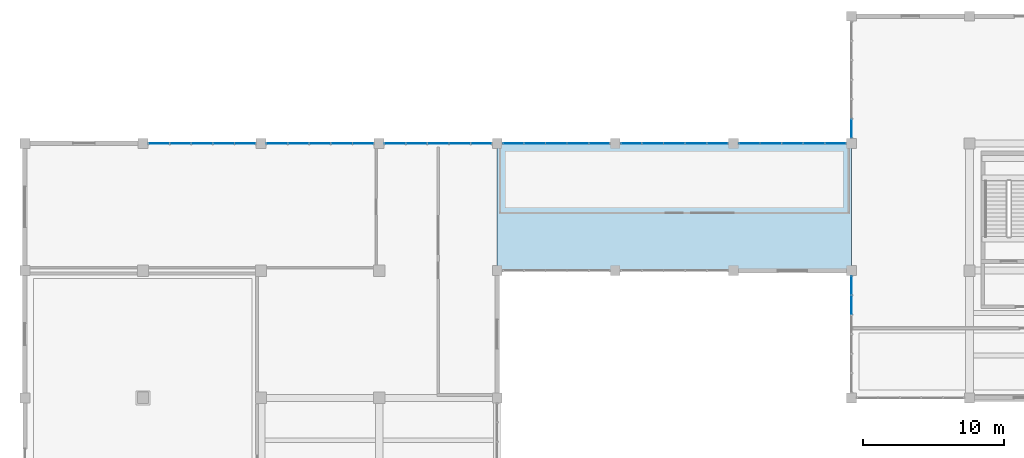
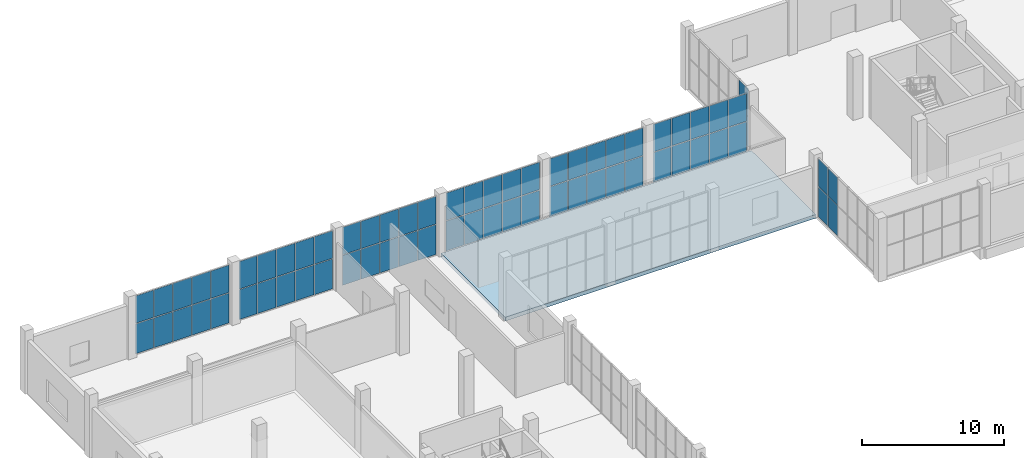
# One storey, part 68 of 91: 66 plates, 1 slab, 8 elements without a shape of their own.
"""IFC4 building model written with IfcOpenShell, lengths in metres."""

from ifc_helpers import new_model, si_unit, direction, frame, origin, origin_2d, place, context, subcontext, project, spatial, polyline, rectangle, outline, extrude, material, layer, layer_set, type_object, element, aggregate, save


model = new_model("IFC4")

# Units and contexts
model_context = context("Model", 3, precision=1e-05, world=origin(), true_north=direction((0.0, 1.0)))
body_context = subcontext(model_context, "Body", "Model", "MODEL_VIEW")
ifc_project = project(units=[si_unit("LENGTHUNIT", "METRE"), si_unit("AREAUNIT", "SQUARE_METRE"), si_unit("VOLUMEUNIT", "CUBIC_METRE"), si_unit("PLANEANGLEUNIT", "RADIAN"), si_unit("MASSUNIT", "GRAM", prefix="KILO")], contexts=[model_context])

# Site, building, storey
site_placement = place(None, origin())
site = spatial("IfcSite", under=ifc_project, at=site_placement, CompositionType="ELEMENT")
building_placement = place(site_placement, origin())
building = spatial("IfcBuilding", under=site, at=building_placement, Name="Khurvash Pelagic Aquarium", CompositionType="ELEMENT")
storey_placement = place(building_placement, origin())
storey = spatial("IfcBuildingStorey", under=building, at=storey_placement, Name="L00", CompositionType="ELEMENT", Elevation=0.0)

# Curtain wall, plates
ifc_material_1 = material(Name="Anodised aluminium and low-E laminated glass", Category="aluminium")
curtain_wall_type_1 = type_object("IfcCurtainWallType", Name="CW-02", PredefinedType="USERDEFINED", material=ifc_material_1)
curtain_wall_1_placement = place(storey_placement, origin())
curtain_wall_1 = element("IfcCurtainWall", 1, at=curtain_wall_1_placement, inside=storey, type_object=curtain_wall_type_1, Name="L00 Facade Unitised Curtain Wall CW-02 0065", ObjectType="UNITISED CURTAIN WALL", PredefinedType="USERDEFINED")
ifc_material_2 = material(Name="Low-E laminated double glazing", Category="glass")
ifc_layer_1 = layer(ifc_material_2, 0.031982421875)
ifc_layer_set_1 = layer_set([ifc_layer_1], Name="Low-E laminated double glazing")
plate_type_1 = type_object("IfcPlateType", Name="CG-02", PredefinedType="CURTAIN_PANEL", material=ifc_layer_set_1)
plate_1_placement = place(storey_placement, frame((57.660888671875, 102.14990234375, 0.06005859375), z_axis=(0.0, 0.0, 1.0), x_axis=(-1.0, 0.0, 0.0)))
plate_1 = element("IfcPlate", 2, at=plate_1_placement, type_object=plate_type_1, Name="CW-02 panel 1.1", PredefinedType="CURTAIN_PANEL", context=body_context, shape_type="SweptSolid", body=[
    extrude(rectangle(XDim=1.447998046875, YDim=0.031982421875, at=origin_2d()), origin(), (0.0, 0.0, 1.0), 2.556884765625),
])
plate_2_placement = place(storey_placement, frame((57.660888671875, 102.14990234375, 2.677001953125), z_axis=(0.0, 0.0, 1.0), x_axis=(-1.0, 0.0, 0.0)))
plate_2 = element("IfcPlate", 3, at=plate_2_placement, type_object=plate_type_1, Name="CW-02 panel 1.2", PredefinedType="CURTAIN_PANEL", context=body_context, shape_type="SweptSolid", body=[
    extrude(rectangle(XDim=1.447998046875, YDim=0.031982421875, at=origin_2d()), origin(), (0.0, 0.0, 1.0), 2.35302734375),
])
plate_3_placement = place(storey_placement, frame((56.137939453125, 102.14990234375, 0.06005859375), z_axis=(0.0, 0.0, 1.0), x_axis=(-1.0, 0.0, 0.0)))
plate_3 = element("IfcPlate", 4, at=plate_3_placement, type_object=plate_type_1, Name="CW-02 panel 2.1", PredefinedType="CURTAIN_PANEL", context=body_context, shape_type="SweptSolid", body=[
    extrude(rectangle(XDim=1.47802734375, YDim=0.031982421875, at=origin_2d()), origin(), (0.0, 0.0, 1.0), 2.556884765625),
])
plate_4_placement = place(storey_placement, frame((56.137939453125, 102.14990234375, 2.677001953125), z_axis=(0.0, 0.0, 1.0), x_axis=(-1.0, 0.0, 0.0)))
plate_4 = element("IfcPlate", 5, at=plate_4_placement, type_object=plate_type_1, Name="CW-02 panel 2.2", PredefinedType="CURTAIN_PANEL", context=body_context, shape_type="SweptSolid", body=[
    extrude(rectangle(XDim=1.47802734375, YDim=0.031982421875, at=origin_2d()), origin(), (0.0, 0.0, 1.0), 2.35302734375),
])
plate_5_placement = place(storey_placement, frame((54.60009765625, 102.14990234375, 0.06005859375), z_axis=(0.0, 0.0, 1.0), x_axis=(-1.0, 0.0, 0.0)))
plate_5 = element("IfcPlate", 6, at=plate_5_placement, type_object=plate_type_1, Name="CW-02 panel 3.1", PredefinedType="CURTAIN_PANEL", context=body_context, shape_type="SweptSolid", body=[
    extrude(rectangle(XDim=1.47802734375, YDim=0.031982421875, at=origin_2d()), origin(), (0.0, 0.0, 1.0), 2.556884765625),
])
plate_6_placement = place(storey_placement, frame((54.60009765625, 102.14990234375, 2.677001953125), z_axis=(0.0, 0.0, 1.0), x_axis=(-1.0, 0.0, 0.0)))
plate_6 = element("IfcPlate", 7, at=plate_6_placement, type_object=plate_type_1, Name="CW-02 panel 3.2", PredefinedType="CURTAIN_PANEL", context=body_context, shape_type="SweptSolid", body=[
    extrude(rectangle(XDim=1.47802734375, YDim=0.031982421875, at=origin_2d()), origin(), (0.0, 0.0, 1.0), 2.35302734375),
])
plate_7_placement = place(storey_placement, frame((53.06201171875, 102.14990234375, 0.06005859375), z_axis=(0.0, 0.0, 1.0), x_axis=(-1.0, 0.0, 0.0)))
plate_7 = element("IfcPlate", 8, at=plate_7_placement, type_object=plate_type_1, Name="CW-02 panel 4.1", PredefinedType="CURTAIN_PANEL", context=body_context, shape_type="SweptSolid", body=[
    extrude(rectangle(XDim=1.47802734375, YDim=0.031982421875, at=origin_2d()), origin(), (0.0, 0.0, 1.0), 2.556884765625),
])
plate_8_placement = place(storey_placement, frame((53.06201171875, 102.14990234375, 2.677001953125), z_axis=(0.0, 0.0, 1.0), x_axis=(-1.0, 0.0, 0.0)))
plate_8 = element("IfcPlate", 9, at=plate_8_placement, type_object=plate_type_1, Name="CW-02 panel 4.2", PredefinedType="CURTAIN_PANEL", context=body_context, shape_type="SweptSolid", body=[
    extrude(rectangle(XDim=1.47802734375, YDim=0.031982421875, at=origin_2d()), origin(), (0.0, 0.0, 1.0), 2.35302734375),
])
plate_9_placement = place(storey_placement, frame((51.5390625, 102.14990234375, 0.06005859375), z_axis=(0.0, 0.0, 1.0), x_axis=(-1.0, 0.0, 0.0)))
plate_9 = element("IfcPlate", 10, at=plate_9_placement, type_object=plate_type_1, Name="CW-02 panel 5.1", PredefinedType="CURTAIN_PANEL", context=body_context, shape_type="SweptSolid", body=[
    extrude(rectangle(XDim=1.447998046875, YDim=0.031982421875, at=origin_2d()), origin(), (0.0, 0.0, 1.0), 2.556884765625),
])
plate_10_placement = place(storey_placement, frame((51.5390625, 102.14990234375, 2.677001953125), z_axis=(0.0, 0.0, 1.0), x_axis=(-1.0, 0.0, 0.0)))
plate_10 = element("IfcPlate", 11, at=plate_10_placement, type_object=plate_type_1, Name="CW-02 panel 5.2", PredefinedType="CURTAIN_PANEL", context=body_context, shape_type="SweptSolid", body=[
    extrude(rectangle(XDim=1.447998046875, YDim=0.031982421875, at=origin_2d()), origin(), (0.0, 0.0, 1.0), 2.35302734375),
])
aggregate(curtain_wall_1, [plate_1, plate_2, plate_3, plate_4, plate_5, plate_6, plate_7, plate_8, plate_9, plate_10])

curtain_wall_2_placement = place(storey_placement, origin())
curtain_wall_2 = element("IfcCurtainWall", 12, at=curtain_wall_2_placement, inside=storey, type_object=curtain_wall_type_1, Name="L00 Facade Unitised Curtain Wall CW-02 0066", ObjectType="UNITISED CURTAIN WALL", PredefinedType="USERDEFINED")
plate_11_placement = place(storey_placement, frame((49.260986328125, 102.14990234375, 0.06005859375), z_axis=(0.0, 0.0, 1.0), x_axis=(-1.0, 0.0, 0.0)))
plate_11 = element("IfcPlate", 13, at=plate_11_placement, type_object=plate_type_1, Name="CW-02 panel 1.1", PredefinedType="CURTAIN_PANEL", context=body_context, shape_type="SweptSolid", body=[
    extrude(rectangle(XDim=1.447998046875, YDim=0.031982421875, at=origin_2d()), origin(), (0.0, 0.0, 1.0), 2.556884765625),
])
plate_12_placement = place(storey_placement, frame((49.260986328125, 102.14990234375, 2.677001953125), z_axis=(0.0, 0.0, 1.0), x_axis=(-1.0, 0.0, 0.0)))
plate_12 = element("IfcPlate", 14, at=plate_12_placement, type_object=plate_type_1, Name="CW-02 panel 1.2", PredefinedType="CURTAIN_PANEL", context=body_context, shape_type="SweptSolid", body=[
    extrude(rectangle(XDim=1.447998046875, YDim=0.031982421875, at=origin_2d()), origin(), (0.0, 0.0, 1.0), 2.35302734375),
])
plate_13_placement = place(storey_placement, frame((47.738037109375, 102.14990234375, 0.06005859375), z_axis=(0.0, 0.0, 1.0), x_axis=(-1.0, 0.0, 0.0)))
plate_13 = element("IfcPlate", 15, at=plate_13_placement, type_object=plate_type_1, Name="CW-02 panel 2.1", PredefinedType="CURTAIN_PANEL", context=body_context, shape_type="SweptSolid", body=[
    extrude(rectangle(XDim=1.47802734375, YDim=0.031982421875, at=origin_2d()), origin(), (0.0, 0.0, 1.0), 2.556884765625),
])
plate_14_placement = place(storey_placement, frame((47.738037109375, 102.14990234375, 2.677001953125), z_axis=(0.0, 0.0, 1.0), x_axis=(-1.0, 0.0, 0.0)))
plate_14 = element("IfcPlate", 16, at=plate_14_placement, type_object=plate_type_1, Name="CW-02 panel 2.2", PredefinedType="CURTAIN_PANEL", context=body_context, shape_type="SweptSolid", body=[
    extrude(rectangle(XDim=1.47802734375, YDim=0.031982421875, at=origin_2d()), origin(), (0.0, 0.0, 1.0), 2.35302734375),
])
plate_15_placement = place(storey_placement, frame((46.199951171875, 102.14990234375, 0.06005859375), z_axis=(0.0, 0.0, 1.0), x_axis=(-1.0, 0.0, 0.0)))
plate_15 = element("IfcPlate", 17, at=plate_15_placement, type_object=plate_type_1, Name="CW-02 panel 3.1", PredefinedType="CURTAIN_PANEL", context=body_context, shape_type="SweptSolid", body=[
    extrude(rectangle(XDim=1.47802734375, YDim=0.031982421875, at=origin_2d()), origin(), (0.0, 0.0, 1.0), 2.556884765625),
])
plate_16_placement = place(storey_placement, frame((46.199951171875, 102.14990234375, 2.677001953125), z_axis=(0.0, 0.0, 1.0), x_axis=(-1.0, 0.0, 0.0)))
plate_16 = element("IfcPlate", 18, at=plate_16_placement, type_object=plate_type_1, Name="CW-02 panel 3.2", PredefinedType="CURTAIN_PANEL", context=body_context, shape_type="SweptSolid", body=[
    extrude(rectangle(XDim=1.47802734375, YDim=0.031982421875, at=origin_2d()), origin(), (0.0, 0.0, 1.0), 2.35302734375),
])
plate_17_placement = place(storey_placement, frame((44.662109375, 102.14990234375, 0.06005859375), z_axis=(0.0, 0.0, 1.0), x_axis=(-1.0, 0.0, 0.0)))
plate_17 = element("IfcPlate", 19, at=plate_17_placement, type_object=plate_type_1, Name="CW-02 panel 4.1", PredefinedType="CURTAIN_PANEL", context=body_context, shape_type="SweptSolid", body=[
    extrude(rectangle(XDim=1.47802734375, YDim=0.031982421875, at=origin_2d()), origin(), (0.0, 0.0, 1.0), 2.556884765625),
])
plate_18_placement = place(storey_placement, frame((44.662109375, 102.14990234375, 2.677001953125), z_axis=(0.0, 0.0, 1.0), x_axis=(-1.0, 0.0, 0.0)))
plate_18 = element("IfcPlate", 20, at=plate_18_placement, type_object=plate_type_1, Name="CW-02 panel 4.2", PredefinedType="CURTAIN_PANEL", context=body_context, shape_type="SweptSolid", body=[
    extrude(rectangle(XDim=1.47802734375, YDim=0.031982421875, at=origin_2d()), origin(), (0.0, 0.0, 1.0), 2.35302734375),
])
plate_19_placement = place(storey_placement, frame((43.138916015625, 102.14990234375, 0.06005859375), z_axis=(0.0, 0.0, 1.0), x_axis=(-1.0, 0.0, 0.0)))
plate_19 = element("IfcPlate", 21, at=plate_19_placement, type_object=plate_type_1, Name="CW-02 panel 5.1", PredefinedType="CURTAIN_PANEL", context=body_context, shape_type="SweptSolid", body=[
    extrude(rectangle(XDim=1.447998046875, YDim=0.031982421875, at=origin_2d()), origin(), (0.0, 0.0, 1.0), 2.556884765625),
])
plate_20_placement = place(storey_placement, frame((43.138916015625, 102.14990234375, 2.677001953125), z_axis=(0.0, 0.0, 1.0), x_axis=(-1.0, 0.0, 0.0)))
plate_20 = element("IfcPlate", 22, at=plate_20_placement, type_object=plate_type_1, Name="CW-02 panel 5.2", PredefinedType="CURTAIN_PANEL", context=body_context, shape_type="SweptSolid", body=[
    extrude(rectangle(XDim=1.447998046875, YDim=0.031982421875, at=origin_2d()), origin(), (0.0, 0.0, 1.0), 2.35302734375),
])
aggregate(curtain_wall_2, [plate_11, plate_12, plate_13, plate_14, plate_15, plate_16, plate_17, plate_18, plate_19, plate_20])

curtain_wall_3_placement = place(storey_placement, origin())
curtain_wall_3 = element("IfcCurtainWall", 23, at=curtain_wall_3_placement, inside=storey, type_object=curtain_wall_type_1, Name="L00 Facade Unitised Curtain Wall CW-02 0067", ObjectType="UNITISED CURTAIN WALL", PredefinedType="USERDEFINED")
plate_21_placement = place(storey_placement, frame((40.861083984375, 102.14990234375, 0.06005859375), z_axis=(0.0, 0.0, 1.0), x_axis=(-1.0, 0.0, 0.0)))
plate_21 = element("IfcPlate", 24, at=plate_21_placement, type_object=plate_type_1, Name="CW-02 panel 1.1", PredefinedType="CURTAIN_PANEL", context=body_context, shape_type="SweptSolid", body=[
    extrude(rectangle(XDim=1.447998046875, YDim=0.031982421875, at=origin_2d()), origin(), (0.0, 0.0, 1.0), 2.556884765625),
])
plate_22_placement = place(storey_placement, frame((40.861083984375, 102.14990234375, 2.677001953125), z_axis=(0.0, 0.0, 1.0), x_axis=(-1.0, 0.0, 0.0)))
plate_22 = element("IfcPlate", 25, at=plate_22_placement, type_object=plate_type_1, Name="CW-02 panel 1.2", PredefinedType="CURTAIN_PANEL", context=body_context, shape_type="SweptSolid", body=[
    extrude(rectangle(XDim=1.447998046875, YDim=0.031982421875, at=origin_2d()), origin(), (0.0, 0.0, 1.0), 2.35302734375),
])
plate_23_placement = place(storey_placement, frame((39.337890625, 102.14990234375, 0.06005859375), z_axis=(0.0, 0.0, 1.0), x_axis=(-1.0, 0.0, 0.0)))
plate_23 = element("IfcPlate", 26, at=plate_23_placement, type_object=plate_type_1, Name="CW-02 panel 2.1", PredefinedType="CURTAIN_PANEL", context=body_context, shape_type="SweptSolid", body=[
    extrude(rectangle(XDim=1.47802734375, YDim=0.031982421875, at=origin_2d()), origin(), (0.0, 0.0, 1.0), 2.556884765625),
])
plate_24_placement = place(storey_placement, frame((39.337890625, 102.14990234375, 2.677001953125), z_axis=(0.0, 0.0, 1.0), x_axis=(-1.0, 0.0, 0.0)))
plate_24 = element("IfcPlate", 27, at=plate_24_placement, type_object=plate_type_1, Name="CW-02 panel 2.2", PredefinedType="CURTAIN_PANEL", context=body_context, shape_type="SweptSolid", body=[
    extrude(rectangle(XDim=1.47802734375, YDim=0.031982421875, at=origin_2d()), origin(), (0.0, 0.0, 1.0), 2.35302734375),
])
plate_25_placement = place(storey_placement, frame((37.800048828125, 102.14990234375, 0.06005859375), z_axis=(0.0, 0.0, 1.0), x_axis=(-1.0, 0.0, 0.0)))
plate_25 = element("IfcPlate", 28, at=plate_25_placement, type_object=plate_type_1, Name="CW-02 panel 3.1", PredefinedType="CURTAIN_PANEL", context=body_context, shape_type="SweptSolid", body=[
    extrude(rectangle(XDim=1.47802734375, YDim=0.031982421875, at=origin_2d()), origin(), (0.0, 0.0, 1.0), 2.556884765625),
])
plate_26_placement = place(storey_placement, frame((37.800048828125, 102.14990234375, 2.677001953125), z_axis=(0.0, 0.0, 1.0), x_axis=(-1.0, 0.0, 0.0)))
plate_26 = element("IfcPlate", 29, at=plate_26_placement, type_object=plate_type_1, Name="CW-02 panel 3.2", PredefinedType="CURTAIN_PANEL", context=body_context, shape_type="SweptSolid", body=[
    extrude(rectangle(XDim=1.47802734375, YDim=0.031982421875, at=origin_2d()), origin(), (0.0, 0.0, 1.0), 2.35302734375),
])
plate_27_placement = place(storey_placement, frame((36.261962890625, 102.14990234375, 0.06005859375), z_axis=(0.0, 0.0, 1.0), x_axis=(-1.0, 0.0, 0.0)))
plate_27 = element("IfcPlate", 30, at=plate_27_placement, type_object=plate_type_1, Name="CW-02 panel 4.1", PredefinedType="CURTAIN_PANEL", context=body_context, shape_type="SweptSolid", body=[
    extrude(rectangle(XDim=1.47802734375, YDim=0.031982421875, at=origin_2d()), origin(), (0.0, 0.0, 1.0), 2.556884765625),
])
plate_28_placement = place(storey_placement, frame((36.261962890625, 102.14990234375, 2.677001953125), z_axis=(0.0, 0.0, 1.0), x_axis=(-1.0, 0.0, 0.0)))
plate_28 = element("IfcPlate", 31, at=plate_28_placement, type_object=plate_type_1, Name="CW-02 panel 4.2", PredefinedType="CURTAIN_PANEL", context=body_context, shape_type="SweptSolid", body=[
    extrude(rectangle(XDim=1.47802734375, YDim=0.031982421875, at=origin_2d()), origin(), (0.0, 0.0, 1.0), 2.35302734375),
])
plate_29_placement = place(storey_placement, frame((34.739013671875, 102.14990234375, 0.06005859375), z_axis=(0.0, 0.0, 1.0), x_axis=(-1.0, 0.0, 0.0)))
plate_29 = element("IfcPlate", 32, at=plate_29_placement, type_object=plate_type_1, Name="CW-02 panel 5.1", PredefinedType="CURTAIN_PANEL", context=body_context, shape_type="SweptSolid", body=[
    extrude(rectangle(XDim=1.447998046875, YDim=0.031982421875, at=origin_2d()), origin(), (0.0, 0.0, 1.0), 2.556884765625),
])
plate_30_placement = place(storey_placement, frame((34.739013671875, 102.14990234375, 2.677001953125), z_axis=(0.0, 0.0, 1.0), x_axis=(-1.0, 0.0, 0.0)))
plate_30 = element("IfcPlate", 33, at=plate_30_placement, type_object=plate_type_1, Name="CW-02 panel 5.2", PredefinedType="CURTAIN_PANEL", context=body_context, shape_type="SweptSolid", body=[
    extrude(rectangle(XDim=1.447998046875, YDim=0.031982421875, at=origin_2d()), origin(), (0.0, 0.0, 1.0), 2.35302734375),
])
aggregate(curtain_wall_3, [plate_21, plate_22, plate_23, plate_24, plate_25, plate_26, plate_27, plate_28, plate_29, plate_30])

curtain_wall_4_placement = place(storey_placement, origin())
curtain_wall_4 = element("IfcCurtainWall", 34, at=curtain_wall_4_placement, inside=storey, type_object=curtain_wall_type_1, Name="L00 Facade Unitised Curtain Wall CW-02 0068", ObjectType="UNITISED CURTAIN WALL", PredefinedType="USERDEFINED")
plate_31_placement = place(storey_placement, frame((32.4609375, 102.14990234375, 0.06005859375), z_axis=(0.0, 0.0, 1.0), x_axis=(-1.0, 0.0, 0.0)))
plate_31 = element("IfcPlate", 35, at=plate_31_placement, type_object=plate_type_1, Name="CW-02 panel 1.1", PredefinedType="CURTAIN_PANEL", context=body_context, shape_type="SweptSolid", body=[
    extrude(rectangle(XDim=1.447998046875, YDim=0.031982421875, at=origin_2d()), origin(), (0.0, 0.0, 1.0), 2.556884765625),
])
plate_32_placement = place(storey_placement, frame((32.4609375, 102.14990234375, 2.677001953125), z_axis=(0.0, 0.0, 1.0), x_axis=(-1.0, 0.0, 0.0)))
plate_32 = element("IfcPlate", 36, at=plate_32_placement, type_object=plate_type_1, Name="CW-02 panel 1.2", PredefinedType="CURTAIN_PANEL", context=body_context, shape_type="SweptSolid", body=[
    extrude(rectangle(XDim=1.447998046875, YDim=0.031982421875, at=origin_2d()), origin(), (0.0, 0.0, 1.0), 2.35302734375),
])
plate_33_placement = place(storey_placement, frame((30.93798828125, 102.14990234375, 0.06005859375), z_axis=(0.0, 0.0, 1.0), x_axis=(-1.0, 0.0, 0.0)))
plate_33 = element("IfcPlate", 37, at=plate_33_placement, type_object=plate_type_1, Name="CW-02 panel 2.1", PredefinedType="CURTAIN_PANEL", context=body_context, shape_type="SweptSolid", body=[
    extrude(rectangle(XDim=1.47802734375, YDim=0.031982421875, at=origin_2d()), origin(), (0.0, 0.0, 1.0), 2.556884765625),
])
plate_34_placement = place(storey_placement, frame((30.93798828125, 102.14990234375, 2.677001953125), z_axis=(0.0, 0.0, 1.0), x_axis=(-1.0, 0.0, 0.0)))
plate_34 = element("IfcPlate", 38, at=plate_34_placement, type_object=plate_type_1, Name="CW-02 panel 2.2", PredefinedType="CURTAIN_PANEL", context=body_context, shape_type="SweptSolid", body=[
    extrude(rectangle(XDim=1.47802734375, YDim=0.031982421875, at=origin_2d()), origin(), (0.0, 0.0, 1.0), 2.35302734375),
])
plate_35_placement = place(storey_placement, frame((29.39990234375, 102.14990234375, 0.06005859375), z_axis=(0.0, 0.0, 1.0), x_axis=(-1.0, 0.0, 0.0)))
plate_35 = element("IfcPlate", 39, at=plate_35_placement, type_object=plate_type_1, Name="CW-02 panel 3.1", PredefinedType="CURTAIN_PANEL", context=body_context, shape_type="SweptSolid", body=[
    extrude(rectangle(XDim=1.47802734375, YDim=0.031982421875, at=origin_2d()), origin(), (0.0, 0.0, 1.0), 2.556884765625),
])
plate_36_placement = place(storey_placement, frame((29.39990234375, 102.14990234375, 2.677001953125), z_axis=(0.0, 0.0, 1.0), x_axis=(-1.0, 0.0, 0.0)))
plate_36 = element("IfcPlate", 40, at=plate_36_placement, type_object=plate_type_1, Name="CW-02 panel 3.2", PredefinedType="CURTAIN_PANEL", context=body_context, shape_type="SweptSolid", body=[
    extrude(rectangle(XDim=1.47802734375, YDim=0.031982421875, at=origin_2d()), origin(), (0.0, 0.0, 1.0), 2.35302734375),
])
plate_37_placement = place(storey_placement, frame((27.862060546875, 102.14990234375, 0.06005859375), z_axis=(0.0, 0.0, 1.0), x_axis=(-1.0, 0.0, 0.0)))
plate_37 = element("IfcPlate", 41, at=plate_37_placement, type_object=plate_type_1, Name="CW-02 panel 4.1", PredefinedType="CURTAIN_PANEL", context=body_context, shape_type="SweptSolid", body=[
    extrude(rectangle(XDim=1.47802734375, YDim=0.031982421875, at=origin_2d()), origin(), (0.0, 0.0, 1.0), 2.556884765625),
])
plate_38_placement = place(storey_placement, frame((27.862060546875, 102.14990234375, 2.677001953125), z_axis=(0.0, 0.0, 1.0), x_axis=(-1.0, 0.0, 0.0)))
plate_38 = element("IfcPlate", 42, at=plate_38_placement, type_object=plate_type_1, Name="CW-02 panel 4.2", PredefinedType="CURTAIN_PANEL", context=body_context, shape_type="SweptSolid", body=[
    extrude(rectangle(XDim=1.47802734375, YDim=0.031982421875, at=origin_2d()), origin(), (0.0, 0.0, 1.0), 2.35302734375),
])
plate_39_placement = place(storey_placement, frame((26.339111328125, 102.14990234375, 0.06005859375), z_axis=(0.0, 0.0, 1.0), x_axis=(-1.0, 0.0, 0.0)))
plate_39 = element("IfcPlate", 43, at=plate_39_placement, type_object=plate_type_1, Name="CW-02 panel 5.1", PredefinedType="CURTAIN_PANEL", context=body_context, shape_type="SweptSolid", body=[
    extrude(rectangle(XDim=1.447998046875, YDim=0.031982421875, at=origin_2d()), origin(), (0.0, 0.0, 1.0), 2.556884765625),
])
plate_40_placement = place(storey_placement, frame((26.339111328125, 102.14990234375, 2.677001953125), z_axis=(0.0, 0.0, 1.0), x_axis=(-1.0, 0.0, 0.0)))
plate_40 = element("IfcPlate", 44, at=plate_40_placement, type_object=plate_type_1, Name="CW-02 panel 5.2", PredefinedType="CURTAIN_PANEL", context=body_context, shape_type="SweptSolid", body=[
    extrude(rectangle(XDim=1.447998046875, YDim=0.031982421875, at=origin_2d()), origin(), (0.0, 0.0, 1.0), 2.35302734375),
])
aggregate(curtain_wall_4, [plate_31, plate_32, plate_33, plate_34, plate_35, plate_36, plate_37, plate_38, plate_39, plate_40])

curtain_wall_5_placement = place(storey_placement, origin())
curtain_wall_5 = element("IfcCurtainWall", 45, at=curtain_wall_5_placement, inside=storey, type_object=curtain_wall_type_1, Name="L00 Facade Unitised Curtain Wall CW-02 0069", ObjectType="UNITISED CURTAIN WALL", PredefinedType="USERDEFINED")
plate_41_placement = place(storey_placement, frame((24.06103515625, 102.14990234375, 0.06005859375), z_axis=(0.0, 0.0, 1.0), x_axis=(-1.0, 0.0, 0.0)))
plate_41 = element("IfcPlate", 46, at=plate_41_placement, type_object=plate_type_1, Name="CW-02 panel 1.1", PredefinedType="CURTAIN_PANEL", context=body_context, shape_type="SweptSolid", body=[
    extrude(rectangle(XDim=1.447998046875, YDim=0.031982421875, at=origin_2d()), origin(), (0.0, 0.0, 1.0), 2.556884765625),
])
plate_42_placement = place(storey_placement, frame((24.06103515625, 102.14990234375, 2.677001953125), z_axis=(0.0, 0.0, 1.0), x_axis=(-1.0, 0.0, 0.0)))
plate_42 = element("IfcPlate", 47, at=plate_42_placement, type_object=plate_type_1, Name="CW-02 panel 1.2", PredefinedType="CURTAIN_PANEL", context=body_context, shape_type="SweptSolid", body=[
    extrude(rectangle(XDim=1.447998046875, YDim=0.031982421875, at=origin_2d()), origin(), (0.0, 0.0, 1.0), 2.35302734375),
])
plate_43_placement = place(storey_placement, frame((22.5380859375, 102.14990234375, 0.06005859375), z_axis=(0.0, 0.0, 1.0), x_axis=(-1.0, 0.0, 0.0)))
plate_43 = element("IfcPlate", 48, at=plate_43_placement, type_object=plate_type_1, Name="CW-02 panel 2.1", PredefinedType="CURTAIN_PANEL", context=body_context, shape_type="SweptSolid", body=[
    extrude(rectangle(XDim=1.47802734375, YDim=0.031982421875, at=origin_2d()), origin(), (0.0, 0.0, 1.0), 2.556884765625),
])
plate_44_placement = place(storey_placement, frame((22.5380859375, 102.14990234375, 2.677001953125), z_axis=(0.0, 0.0, 1.0), x_axis=(-1.0, 0.0, 0.0)))
plate_44 = element("IfcPlate", 49, at=plate_44_placement, type_object=plate_type_1, Name="CW-02 panel 2.2", PredefinedType="CURTAIN_PANEL", context=body_context, shape_type="SweptSolid", body=[
    extrude(rectangle(XDim=1.47802734375, YDim=0.031982421875, at=origin_2d()), origin(), (0.0, 0.0, 1.0), 2.35302734375),
])
plate_45_placement = place(storey_placement, frame((21.0, 102.14990234375, 0.06005859375), z_axis=(0.0, 0.0, 1.0), x_axis=(-1.0, 0.0, 0.0)))
plate_45 = element("IfcPlate", 50, at=plate_45_placement, type_object=plate_type_1, Name="CW-02 panel 3.1", PredefinedType="CURTAIN_PANEL", context=body_context, shape_type="SweptSolid", body=[
    extrude(rectangle(XDim=1.47802734375, YDim=0.031982421875, at=origin_2d()), origin(), (0.0, 0.0, 1.0), 2.556884765625),
])
plate_46_placement = place(storey_placement, frame((21.0, 102.14990234375, 2.677001953125), z_axis=(0.0, 0.0, 1.0), x_axis=(-1.0, 0.0, 0.0)))
plate_46 = element("IfcPlate", 51, at=plate_46_placement, type_object=plate_type_1, Name="CW-02 panel 3.2", PredefinedType="CURTAIN_PANEL", context=body_context, shape_type="SweptSolid", body=[
    extrude(rectangle(XDim=1.47802734375, YDim=0.031982421875, at=origin_2d()), origin(), (0.0, 0.0, 1.0), 2.35302734375),
])
plate_47_placement = place(storey_placement, frame((19.4619140625, 102.14990234375, 0.06005859375), z_axis=(0.0, 0.0, 1.0), x_axis=(-1.0, 0.0, 0.0)))
plate_47 = element("IfcPlate", 52, at=plate_47_placement, type_object=plate_type_1, Name="CW-02 panel 4.1", PredefinedType="CURTAIN_PANEL", context=body_context, shape_type="SweptSolid", body=[
    extrude(rectangle(XDim=1.47802734375, YDim=0.031982421875, at=origin_2d()), origin(), (0.0, 0.0, 1.0), 2.556884765625),
])
plate_48_placement = place(storey_placement, frame((19.4619140625, 102.14990234375, 2.677001953125), z_axis=(0.0, 0.0, 1.0), x_axis=(-1.0, 0.0, 0.0)))
plate_48 = element("IfcPlate", 53, at=plate_48_placement, type_object=plate_type_1, Name="CW-02 panel 4.2", PredefinedType="CURTAIN_PANEL", context=body_context, shape_type="SweptSolid", body=[
    extrude(rectangle(XDim=1.47802734375, YDim=0.031982421875, at=origin_2d()), origin(), (0.0, 0.0, 1.0), 2.35302734375),
])
plate_49_placement = place(storey_placement, frame((17.93896484375, 102.14990234375, 0.06005859375), z_axis=(0.0, 0.0, 1.0), x_axis=(-1.0, 0.0, 0.0)))
plate_49 = element("IfcPlate", 54, at=plate_49_placement, type_object=plate_type_1, Name="CW-02 panel 5.1", PredefinedType="CURTAIN_PANEL", context=body_context, shape_type="SweptSolid", body=[
    extrude(rectangle(XDim=1.447998046875, YDim=0.031982421875, at=origin_2d()), origin(), (0.0, 0.0, 1.0), 2.556884765625),
])
plate_50_placement = place(storey_placement, frame((17.93896484375, 102.14990234375, 2.677001953125), z_axis=(0.0, 0.0, 1.0), x_axis=(-1.0, 0.0, 0.0)))
plate_50 = element("IfcPlate", 55, at=plate_50_placement, type_object=plate_type_1, Name="CW-02 panel 5.2", PredefinedType="CURTAIN_PANEL", context=body_context, shape_type="SweptSolid", body=[
    extrude(rectangle(XDim=1.447998046875, YDim=0.031982421875, at=origin_2d()), origin(), (0.0, 0.0, 1.0), 2.35302734375),
])
aggregate(curtain_wall_5, [plate_41, plate_42, plate_43, plate_44, plate_45, plate_46, plate_47, plate_48, plate_49, plate_50])

curtain_wall_6_placement = place(storey_placement, origin())
curtain_wall_6 = element("IfcCurtainWall", 56, at=curtain_wall_6_placement, inside=storey, type_object=curtain_wall_type_1, Name="L00 Facade Unitised Curtain Wall CW-02 0070", ObjectType="UNITISED CURTAIN WALL", PredefinedType="USERDEFINED")
plate_51_placement = place(storey_placement, frame((15.660888671875, 102.14990234375, 0.06005859375), z_axis=(0.0, 0.0, 1.0), x_axis=(-1.0, 0.0, 0.0)))
plate_51 = element("IfcPlate", 57, at=plate_51_placement, type_object=plate_type_1, Name="CW-02 panel 1.1", PredefinedType="CURTAIN_PANEL", context=body_context, shape_type="SweptSolid", body=[
    extrude(rectangle(XDim=1.447998046875, YDim=0.031982421875, at=origin_2d()), origin(), (0.0, 0.0, 1.0), 2.556884765625),
])
plate_52_placement = place(storey_placement, frame((15.660888671875, 102.14990234375, 2.677001953125), z_axis=(0.0, 0.0, 1.0), x_axis=(-1.0, 0.0, 0.0)))
plate_52 = element("IfcPlate", 58, at=plate_52_placement, type_object=plate_type_1, Name="CW-02 panel 1.2", PredefinedType="CURTAIN_PANEL", context=body_context, shape_type="SweptSolid", body=[
    extrude(rectangle(XDim=1.447998046875, YDim=0.031982421875, at=origin_2d()), origin(), (0.0, 0.0, 1.0), 2.35302734375),
])
plate_53_placement = place(storey_placement, frame((14.137939453125, 102.14990234375, 0.06005859375), z_axis=(0.0, 0.0, 1.0), x_axis=(-1.0, 0.0, 0.0)))
plate_53 = element("IfcPlate", 59, at=plate_53_placement, type_object=plate_type_1, Name="CW-02 panel 2.1", PredefinedType="CURTAIN_PANEL", context=body_context, shape_type="SweptSolid", body=[
    extrude(rectangle(XDim=1.47802734375, YDim=0.031982421875, at=origin_2d()), origin(), (0.0, 0.0, 1.0), 2.556884765625),
])
plate_54_placement = place(storey_placement, frame((14.137939453125, 102.14990234375, 2.677001953125), z_axis=(0.0, 0.0, 1.0), x_axis=(-1.0, 0.0, 0.0)))
plate_54 = element("IfcPlate", 60, at=plate_54_placement, type_object=plate_type_1, Name="CW-02 panel 2.2", PredefinedType="CURTAIN_PANEL", context=body_context, shape_type="SweptSolid", body=[
    extrude(rectangle(XDim=1.47802734375, YDim=0.031982421875, at=origin_2d()), origin(), (0.0, 0.0, 1.0), 2.35302734375),
])
plate_55_placement = place(storey_placement, frame((12.60009765625, 102.14990234375, 0.06005859375), z_axis=(0.0, 0.0, 1.0), x_axis=(-1.0, 0.0, 0.0)))
plate_55 = element("IfcPlate", 61, at=plate_55_placement, type_object=plate_type_1, Name="CW-02 panel 3.1", PredefinedType="CURTAIN_PANEL", context=body_context, shape_type="SweptSolid", body=[
    extrude(rectangle(XDim=1.47802734375, YDim=0.031982421875, at=origin_2d()), origin(), (0.0, 0.0, 1.0), 2.556884765625),
])
plate_56_placement = place(storey_placement, frame((12.60009765625, 102.14990234375, 2.677001953125), z_axis=(0.0, 0.0, 1.0), x_axis=(-1.0, 0.0, 0.0)))
plate_56 = element("IfcPlate", 62, at=plate_56_placement, type_object=plate_type_1, Name="CW-02 panel 3.2", PredefinedType="CURTAIN_PANEL", context=body_context, shape_type="SweptSolid", body=[
    extrude(rectangle(XDim=1.47802734375, YDim=0.031982421875, at=origin_2d()), origin(), (0.0, 0.0, 1.0), 2.35302734375),
])
plate_57_placement = place(storey_placement, frame((11.06201171875, 102.14990234375, 0.06005859375), z_axis=(0.0, 0.0, 1.0), x_axis=(-1.0, 0.0, 0.0)))
plate_57 = element("IfcPlate", 63, at=plate_57_placement, type_object=plate_type_1, Name="CW-02 panel 4.1", PredefinedType="CURTAIN_PANEL", context=body_context, shape_type="SweptSolid", body=[
    extrude(rectangle(XDim=1.47802734375, YDim=0.031982421875, at=origin_2d()), origin(), (0.0, 0.0, 1.0), 2.556884765625),
])
plate_58_placement = place(storey_placement, frame((11.06201171875, 102.14990234375, 2.677001953125), z_axis=(0.0, 0.0, 1.0), x_axis=(-1.0, 0.0, 0.0)))
plate_58 = element("IfcPlate", 64, at=plate_58_placement, type_object=plate_type_1, Name="CW-02 panel 4.2", PredefinedType="CURTAIN_PANEL", context=body_context, shape_type="SweptSolid", body=[
    extrude(rectangle(XDim=1.47802734375, YDim=0.031982421875, at=origin_2d()), origin(), (0.0, 0.0, 1.0), 2.35302734375),
])
plate_59_placement = place(storey_placement, frame((9.5390625, 102.14990234375, 0.06005859375), z_axis=(0.0, 0.0, 1.0), x_axis=(-1.0, 0.0, 0.0)))
plate_59 = element("IfcPlate", 65, at=plate_59_placement, type_object=plate_type_1, Name="CW-02 panel 5.1", PredefinedType="CURTAIN_PANEL", context=body_context, shape_type="SweptSolid", body=[
    extrude(rectangle(XDim=1.447998046875, YDim=0.031982421875, at=origin_2d()), origin(), (0.0, 0.0, 1.0), 2.556884765625),
])
plate_60_placement = place(storey_placement, frame((9.5390625, 102.14990234375, 2.677001953125), z_axis=(0.0, 0.0, 1.0), x_axis=(-1.0, 0.0, 0.0)))
plate_60 = element("IfcPlate", 66, at=plate_60_placement, type_object=plate_type_1, Name="CW-02 panel 5.2", PredefinedType="CURTAIN_PANEL", context=body_context, shape_type="SweptSolid", body=[
    extrude(rectangle(XDim=1.447998046875, YDim=0.031982421875, at=origin_2d()), origin(), (0.0, 0.0, 1.0), 2.35302734375),
])
aggregate(curtain_wall_6, [plate_51, plate_52, plate_53, plate_54, plate_55, plate_56, plate_57, plate_58, plate_59, plate_60])

curtain_wall_type_2 = type_object("IfcCurtainWallType", Name="CW-05", PredefinedType="USERDEFINED", material=ifc_material_1)
curtain_wall_7_placement = place(storey_placement, origin())
curtain_wall_7 = element("IfcCurtainWall", 67, at=curtain_wall_7_placement, inside=storey, type_object=curtain_wall_type_2, Name="L00 Facade Unitised Curtain Wall CW-05 0064", ObjectType="UNITISED CURTAIN WALL", PredefinedType="USERDEFINED")
ifc_layer_2 = layer(ifc_material_2, 0.033935546875)
ifc_layer_set_2 = layer_set([ifc_layer_2], Name="Low-E laminated double glazing")
plate_type_2 = type_object("IfcPlateType", Name="CG-05", PredefinedType="CURTAIN_PANEL", material=ifc_layer_set_2)
plate_61_placement = place(storey_placement, frame((58.800048828125, 103.215087890625, 0.06005859375), z_axis=(0.0, 0.0, 1.0), x_axis=(0.0, -1.0, 0.0)))
plate_61 = element("IfcPlate", 68, at=plate_61_placement, type_object=plate_type_2, Name="CW-05 panel 6.1", PredefinedType="CURTAIN_PANEL", context=body_context, shape_type="SweptSolid", body=[
    extrude(rectangle(XDim=1.300048828125, YDim=0.033935546875, at=origin_2d()), origin(), (0.0, 0.0, 1.0), 2.556884765625),
])
plate_62_placement = place(storey_placement, frame((58.800048828125, 103.215087890625, 2.677001953125), z_axis=(0.0, 0.0, 1.0), x_axis=(0.0, -1.0, 0.0)))
plate_62 = element("IfcPlate", 69, at=plate_62_placement, type_object=plate_type_2, Name="CW-05 panel 6.2", PredefinedType="CURTAIN_PANEL", context=body_context, shape_type="SweptSolid", body=[
    extrude(rectangle(XDim=1.300048828125, YDim=0.033935546875, at=origin_2d()), origin(), (0.0, 0.0, 1.0), 2.35302734375),
])
aggregate(curtain_wall_7, [plate_61, plate_62])

curtain_wall_8_placement = place(storey_placement, origin())
curtain_wall_8 = element("IfcCurtainWall", 70, at=curtain_wall_8_placement, inside=storey, type_object=curtain_wall_type_2, Name="L00 Facade Unitised Curtain Wall CW-05 0082", ObjectType="UNITISED CURTAIN WALL", PredefinedType="USERDEFINED")
plate_63_placement = place(storey_placement, frame((58.800048828125, 92.034912109375, 0.06005859375), z_axis=(0.0, 0.0, 1.0), x_axis=(0.0, -1.0, 0.0)))
plate_63 = element("IfcPlate", 71, at=plate_63_placement, type_object=plate_type_2, Name="CW-05 panel 1.1", PredefinedType="CURTAIN_PANEL", context=body_context, shape_type="SweptSolid", body=[
    extrude(rectangle(XDim=1.300048828125, YDim=0.033935546875, at=origin_2d()), origin(), (0.0, 0.0, 1.0), 2.556884765625),
])
plate_64_placement = place(storey_placement, frame((58.800048828125, 92.034912109375, 2.677001953125), z_axis=(0.0, 0.0, 1.0), x_axis=(0.0, -1.0, 0.0)))
plate_64 = element("IfcPlate", 72, at=plate_64_placement, type_object=plate_type_2, Name="CW-05 panel 1.2", PredefinedType="CURTAIN_PANEL", context=body_context, shape_type="SweptSolid", body=[
    extrude(rectangle(XDim=1.300048828125, YDim=0.033935546875, at=origin_2d()), origin(), (0.0, 0.0, 1.0), 2.35302734375),
])
plate_65_placement = place(storey_placement, frame((58.800048828125, 90.659912109375, 0.06005859375), z_axis=(0.0, 0.0, 1.0), x_axis=(0.0, -1.0, 0.0)))
plate_65 = element("IfcPlate", 73, at=plate_65_placement, type_object=plate_type_2, Name="CW-05 panel 2.1", PredefinedType="CURTAIN_PANEL", context=body_context, shape_type="SweptSolid", body=[
    extrude(rectangle(XDim=1.330078125, YDim=0.033935546875, at=origin_2d()), origin(), (0.0, 0.0, 1.0), 2.556884765625),
])
plate_66_placement = place(storey_placement, frame((58.800048828125, 90.659912109375, 2.677001953125), z_axis=(0.0, 0.0, 1.0), x_axis=(0.0, -1.0, 0.0)))
plate_66 = element("IfcPlate", 74, at=plate_66_placement, type_object=plate_type_2, Name="CW-05 panel 2.2", PredefinedType="CURTAIN_PANEL", context=body_context, shape_type="SweptSolid", body=[
    extrude(rectangle(XDim=1.330078125, YDim=0.033935546875, at=origin_2d()), origin(), (0.0, 0.0, 1.0), 2.35302734375),
])
aggregate(curtain_wall_8, [plate_63, plate_64, plate_65, plate_66])

# Slab
ifc_material_3 = material(Name="Concrete C40/50", Category="concrete")
ifc_layer_3 = layer(ifc_material_3, 0.320068359375)
ifc_layer_set_3 = layer_set([ifc_layer_3], Name="Concrete C40/50")
slab_type = type_object("IfcSlabType", Name="FS-320", PredefinedType="FLOOR", material=ifc_layer_set_3)
slab_placement = place(storey_placement, frame((0.0, 0.0, -0.320068359375)))
element("IfcSlab", 75, at=slab_placement, inside=storey, type_object=slab_type, Name="L00 Structural Floor Slab FS-320 V5_NWLINK.1", PredefinedType="FLOOR", context=body_context, shape_type="SweptSolid", body=[
    extrude(outline(polyline([(58.800048828125, 102.14990234375), (33.60009765625, 102.14990234375), (33.60009765625, 93.10009765625), (58.800048828125, 93.10009765625), (58.800048828125, 102.14990234375)])), origin(), (0.0, 0.0, 1.0), 0.320068359375),
])

save(model, "model.ifc")
